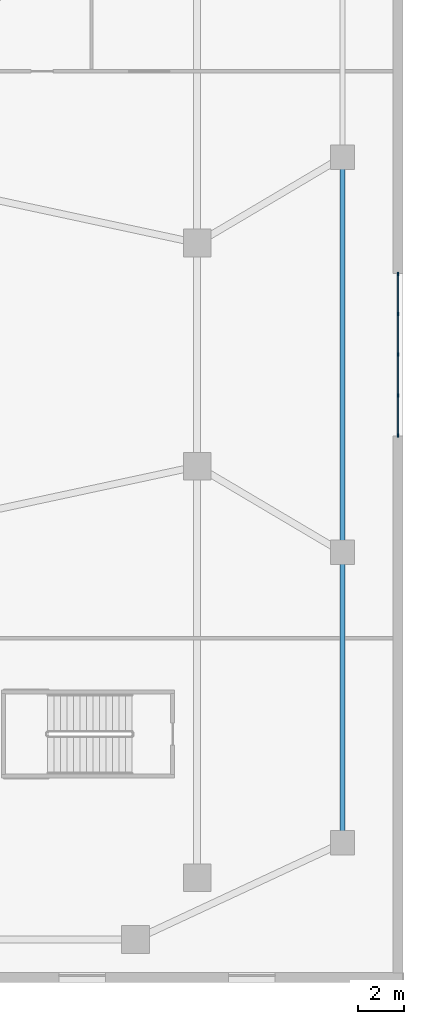
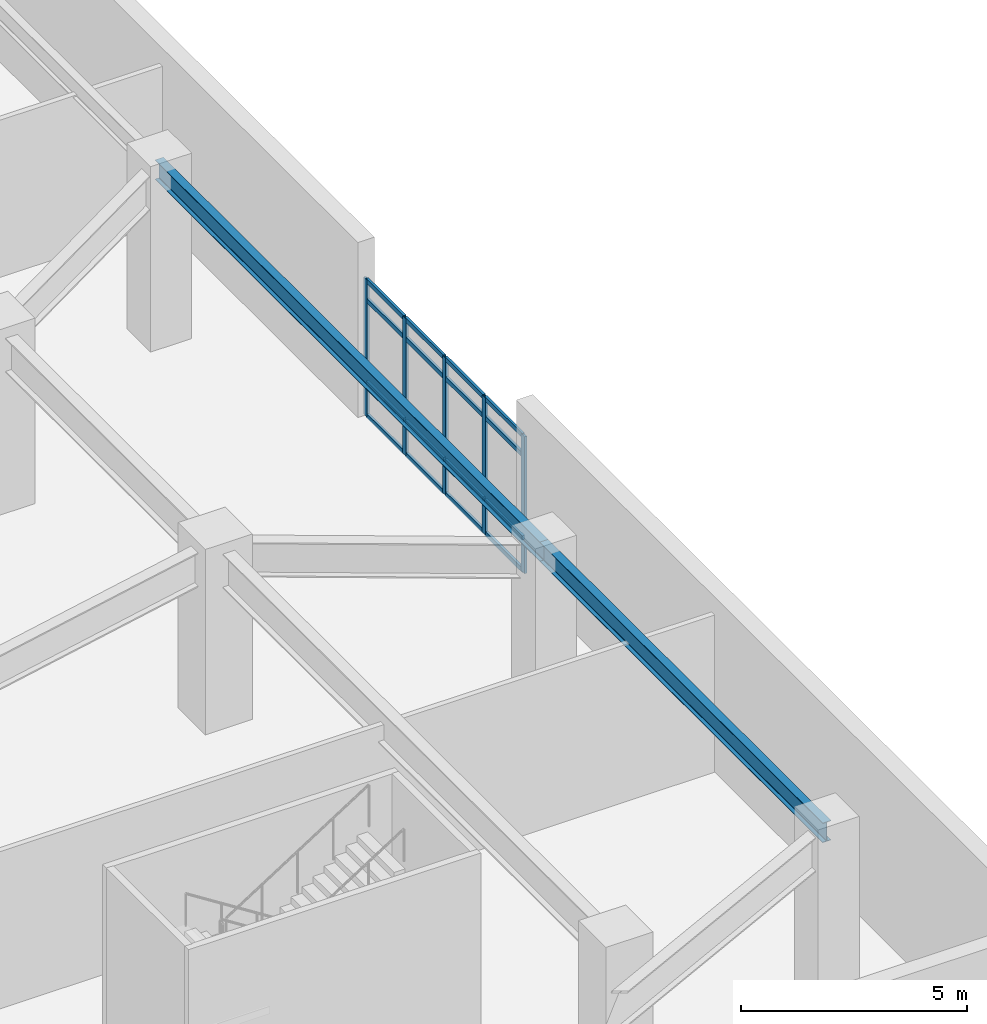
# One storey, part 9 of 20: 21 members, 2 beams, 1 element without a shape of its own.
"""IFC4 building model written with IfcOpenShell, lengths in metres."""

from ifc_helpers import new_model, si_unit, direction, frame, origin, origin_2d, place, context, subcontext, project, spatial, rectangle, i_section, extrude, material, layer, layer_set, material_profile, profile_set, type_object, element, aggregate, save


model = new_model("IFC4")

# Units and contexts
model_context = context("Model", 3, precision=1e-05, world=origin(), true_north=direction((0.0, 1.0)))
body_context = subcontext(model_context, "Body", "Model", "MODEL_VIEW")
ifc_project = project(units=[si_unit("LENGTHUNIT", "METRE"), si_unit("AREAUNIT", "SQUARE_METRE"), si_unit("VOLUMEUNIT", "CUBIC_METRE"), si_unit("PLANEANGLEUNIT", "RADIAN"), si_unit("MASSUNIT", "GRAM", prefix="KILO")], contexts=[model_context])

# Site, building, storey
site_placement = place(None, origin())
site = spatial("IfcSite", under=ifc_project, at=site_placement, CompositionType="ELEMENT")
building_placement = place(site_placement, origin())
building = spatial("IfcBuilding", under=site, at=building_placement, Name="Cairnveth Concourse Tower", CompositionType="ELEMENT")
storey_placement = place(building_placement, frame((0.0, 0.0, 5.0)))
storey = spatial("IfcBuildingStorey", under=building, at=storey_placement, Name="L01", CompositionType="ELEMENT", Elevation=5.0)

# Curtain wall, members
ifc_material_1 = material(Name="Architectural Bronze Anodised Aluminium 6063-T6", Category="aluminium")
ifc_layer = layer(ifc_material_1, 0.340087890625)
ifc_layer_set = layer_set([ifc_layer], Name="Architectural Bronze Anodised Aluminium 6063-T6")
curtain_wall_type = type_object("IfcCurtainWallType", Name="PODIUM RETAIL SHOPFRONT CURTAIN WALL", PredefinedType="USERDEFINED", material=ifc_layer_set)
curtain_wall_placement = place(storey_placement, origin())
curtain_wall = element("IfcCurtainWall", 1, at=curtain_wall_placement, inside=storey, type_object=curtain_wall_type, Name="Curtain Wall CW-L01-E-SHOP1", ObjectType="SHOPFRONT GLAZING", PredefinedType="USERDEFINED")
ifc_material_profile_1 = material_profile(ifc_material_1, rectangle(XDim=0.06494140625, YDim=0.14990234375, at=origin_2d()), Name="AL-MUL-65x150")
ifc_profile_set_1 = profile_set([ifc_material_profile_1], Name="Architectural Bronze Anodised Aluminium 6063-T6")
member_type_1 = type_object("IfcMemberType", Name="BRONZE CURTAIN WALL MULLION AL-MUL-65x150", PredefinedType="MULLION", material=ifc_profile_set_1)
member_1_placement = place(storey_placement, frame((85.7900390625, 42.482421875, 0.0), z_axis=(0.0, 0.0, 1.0), x_axis=(1.0, 0.0, 0.0)))
member_1 = element("IfcMember", 2, at=member_1_placement, type_object=member_type_1, Name="CWS2 mullion 1", PredefinedType="MULLION", context=body_context, shape_type="SweptSolid", body=[
    extrude(rectangle(XDim=0.06494140625, YDim=0.14990234375, at=origin_2d()), origin(), (0.0, 0.0, 1.0), 3.696044921875),
])
member_2_placement = place(storey_placement, frame((85.7900390625, 40.757568359375, 0.0), z_axis=(0.0, 0.0, 1.0), x_axis=(1.0, 0.0, 0.0)))
member_2 = element("IfcMember", 3, at=member_2_placement, type_object=member_type_1, Name="CWS2 mullion 2", PredefinedType="MULLION", context=body_context, shape_type="SweptSolid", body=[
    extrude(rectangle(XDim=0.06494140625, YDim=0.14990234375, at=origin_2d()), origin(), (0.0, 0.0, 1.0), 3.696044921875),
])
member_3_placement = place(storey_placement, frame((85.7900390625, 39.0, 0.0), z_axis=(0.0, 0.0, 1.0), x_axis=(1.0, 0.0, 0.0)))
member_3 = element("IfcMember", 4, at=member_3_placement, type_object=member_type_1, Name="CWS2 mullion 3", PredefinedType="MULLION", context=body_context, shape_type="SweptSolid", body=[
    extrude(rectangle(XDim=0.06494140625, YDim=0.14990234375, at=origin_2d()), origin(), (0.0, 0.0, 1.0), 3.696044921875),
])
member_4_placement = place(storey_placement, frame((85.7900390625, 37.242431640625, 0.0), z_axis=(0.0, 0.0, 1.0), x_axis=(1.0, 0.0, 0.0)))
member_4 = element("IfcMember", 5, at=member_4_placement, type_object=member_type_1, Name="CWS2 mullion 4", PredefinedType="MULLION", context=body_context, shape_type="SweptSolid", body=[
    extrude(rectangle(XDim=0.06494140625, YDim=0.14990234375, at=origin_2d()), origin(), (0.0, 0.0, 1.0), 3.696044921875),
])
member_5_placement = place(storey_placement, frame((85.7900390625, 35.517578125, 0.0), z_axis=(0.0, 0.0, 1.0), x_axis=(1.0, 0.0, 0.0)))
member_5 = element("IfcMember", 6, at=member_5_placement, type_object=member_type_1, Name="CWS2 mullion 5", PredefinedType="MULLION", context=body_context, shape_type="SweptSolid", body=[
    extrude(rectangle(XDim=0.06494140625, YDim=0.14990234375, at=origin_2d()), origin(), (0.0, 0.0, 1.0), 3.696044921875),
])
ifc_material_profile_2 = material_profile(ifc_material_1, rectangle(XDim=0.06494140625, YDim=0.1201171875, at=origin_2d()), Name="AL-TRN-65x120")
ifc_profile_set_2 = profile_set([ifc_material_profile_2], Name="Architectural Bronze Anodised Aluminium 6063-T6")
member_type_2 = type_object("IfcMemberType", Name="BRONZE CURTAIN WALL TRANSOM AL-TRN-65x120", PredefinedType="USERDEFINED", material=ifc_profile_set_2)
member_6_placement = place(storey_placement, frame((85.7900390625, 42.449951171875, 0.032470703125), z_axis=(0.0, -1.0, 0.0), x_axis=(1.0, 0.0, 0.0)))
member_6 = element("IfcMember", 7, at=member_6_placement, type_object=member_type_2, Name="CWS2 transom 1.1", ObjectType="TRANSOM", PredefinedType="USERDEFINED", context=body_context, shape_type="SweptSolid", body=[
    extrude(rectangle(XDim=0.06494140625, YDim=0.1201171875, at=origin_2d()), origin(), (0.0, 0.0, 1.0), 1.659912109375),
])
member_7_placement = place(storey_placement, frame((85.7900390625, 42.449951171875, 0.89990234375), z_axis=(0.0, -1.0, 0.0), x_axis=(1.0, 0.0, 0.0)))
member_7 = element("IfcMember", 8, at=member_7_placement, type_object=member_type_2, Name="CWS2 transom 1.2", ObjectType="TRANSOM", PredefinedType="USERDEFINED", context=body_context, shape_type="SweptSolid", body=[
    extrude(rectangle(XDim=0.06494140625, YDim=0.1201171875, at=origin_2d()), origin(), (0.0, 0.0, 1.0), 1.659912109375),
])
member_8_placement = place(storey_placement, frame((85.7900390625, 42.449951171875, 3.14599609375), z_axis=(0.0, -1.0, 0.0), x_axis=(1.0, 0.0, 0.0)))
member_8 = element("IfcMember", 9, at=member_8_placement, type_object=member_type_2, Name="CWS2 transom 1.3", ObjectType="TRANSOM", PredefinedType="USERDEFINED", context=body_context, shape_type="SweptSolid", body=[
    extrude(rectangle(XDim=0.06494140625, YDim=0.1201171875, at=origin_2d()), origin(), (0.0, 0.0, 1.0), 1.659912109375),
])
member_9_placement = place(storey_placement, frame((85.7900390625, 42.449951171875, 3.66357421875), z_axis=(0.0, -1.0, 0.0), x_axis=(1.0, 0.0, 0.0)))
member_9 = element("IfcMember", 10, at=member_9_placement, type_object=member_type_2, Name="CWS2 transom 1.4", ObjectType="TRANSOM", PredefinedType="USERDEFINED", context=body_context, shape_type="SweptSolid", body=[
    extrude(rectangle(XDim=0.06494140625, YDim=0.1201171875, at=origin_2d()), origin(), (0.0, 0.0, 1.0), 1.659912109375),
])
member_10_placement = place(storey_placement, frame((85.7900390625, 40.72509765625, 0.032470703125), z_axis=(0.0, -1.0, 0.0), x_axis=(1.0, 0.0, 0.0)))
member_10 = element("IfcMember", 11, at=member_10_placement, type_object=member_type_2, Name="CWS2 transom 2.1", ObjectType="TRANSOM", PredefinedType="USERDEFINED", context=body_context, shape_type="SweptSolid", body=[
    extrude(rectangle(XDim=0.06494140625, YDim=0.1201171875, at=origin_2d()), origin(), (0.0, 0.0, 1.0), 1.692626953125),
])
member_11_placement = place(storey_placement, frame((85.7900390625, 40.72509765625, 0.89990234375), z_axis=(0.0, -1.0, 0.0), x_axis=(1.0, 0.0, 0.0)))
member_11 = element("IfcMember", 12, at=member_11_placement, type_object=member_type_2, Name="CWS2 transom 2.2", ObjectType="TRANSOM", PredefinedType="USERDEFINED", context=body_context, shape_type="SweptSolid", body=[
    extrude(rectangle(XDim=0.06494140625, YDim=0.1201171875, at=origin_2d()), origin(), (0.0, 0.0, 1.0), 1.692626953125),
])
member_12_placement = place(storey_placement, frame((85.7900390625, 40.72509765625, 3.14599609375), z_axis=(0.0, -1.0, 0.0), x_axis=(1.0, 0.0, 0.0)))
member_12 = element("IfcMember", 13, at=member_12_placement, type_object=member_type_2, Name="CWS2 transom 2.3", ObjectType="TRANSOM", PredefinedType="USERDEFINED", context=body_context, shape_type="SweptSolid", body=[
    extrude(rectangle(XDim=0.06494140625, YDim=0.1201171875, at=origin_2d()), origin(), (0.0, 0.0, 1.0), 1.692626953125),
])
member_13_placement = place(storey_placement, frame((85.7900390625, 40.72509765625, 3.66357421875), z_axis=(0.0, -1.0, 0.0), x_axis=(1.0, 0.0, 0.0)))
member_13 = element("IfcMember", 14, at=member_13_placement, type_object=member_type_2, Name="CWS2 transom 2.4", ObjectType="TRANSOM", PredefinedType="USERDEFINED", context=body_context, shape_type="SweptSolid", body=[
    extrude(rectangle(XDim=0.06494140625, YDim=0.1201171875, at=origin_2d()), origin(), (0.0, 0.0, 1.0), 1.692626953125),
])
member_14_placement = place(storey_placement, frame((85.7900390625, 38.967529296875, 0.032470703125), z_axis=(0.0, -1.0, 0.0), x_axis=(1.0, 0.0, 0.0)))
member_14 = element("IfcMember", 15, at=member_14_placement, type_object=member_type_2, Name="CWS2 transom 3.1", ObjectType="TRANSOM", PredefinedType="USERDEFINED", context=body_context, shape_type="SweptSolid", body=[
    extrude(rectangle(XDim=0.06494140625, YDim=0.1201171875, at=origin_2d()), origin(), (0.0, 0.0, 1.0), 1.692626953125),
])
member_15_placement = place(storey_placement, frame((85.7900390625, 38.967529296875, 0.89990234375), z_axis=(0.0, -1.0, 0.0), x_axis=(1.0, 0.0, 0.0)))
member_15 = element("IfcMember", 16, at=member_15_placement, type_object=member_type_2, Name="CWS2 transom 3.2", ObjectType="TRANSOM", PredefinedType="USERDEFINED", context=body_context, shape_type="SweptSolid", body=[
    extrude(rectangle(XDim=0.06494140625, YDim=0.1201171875, at=origin_2d()), origin(), (0.0, 0.0, 1.0), 1.692626953125),
])
member_16_placement = place(storey_placement, frame((85.7900390625, 38.967529296875, 3.14599609375), z_axis=(0.0, -1.0, 0.0), x_axis=(1.0, 0.0, 0.0)))
member_16 = element("IfcMember", 17, at=member_16_placement, type_object=member_type_2, Name="CWS2 transom 3.3", ObjectType="TRANSOM", PredefinedType="USERDEFINED", context=body_context, shape_type="SweptSolid", body=[
    extrude(rectangle(XDim=0.06494140625, YDim=0.1201171875, at=origin_2d()), origin(), (0.0, 0.0, 1.0), 1.692626953125),
])
member_17_placement = place(storey_placement, frame((85.7900390625, 38.967529296875, 3.66357421875), z_axis=(0.0, -1.0, 0.0), x_axis=(1.0, 0.0, 0.0)))
member_17 = element("IfcMember", 18, at=member_17_placement, type_object=member_type_2, Name="CWS2 transom 3.4", ObjectType="TRANSOM", PredefinedType="USERDEFINED", context=body_context, shape_type="SweptSolid", body=[
    extrude(rectangle(XDim=0.06494140625, YDim=0.1201171875, at=origin_2d()), origin(), (0.0, 0.0, 1.0), 1.692626953125),
])
member_18_placement = place(storey_placement, frame((85.7900390625, 37.2099609375, 0.032470703125), z_axis=(0.0, -1.0, 0.0), x_axis=(1.0, 0.0, 0.0)))
member_18 = element("IfcMember", 19, at=member_18_placement, type_object=member_type_2, Name="CWS2 transom 4.1", ObjectType="TRANSOM", PredefinedType="USERDEFINED", context=body_context, shape_type="SweptSolid", body=[
    extrude(rectangle(XDim=0.06494140625, YDim=0.1201171875, at=origin_2d()), origin(), (0.0, 0.0, 1.0), 1.659912109375),
])
member_19_placement = place(storey_placement, frame((85.7900390625, 37.2099609375, 0.89990234375), z_axis=(0.0, -1.0, 0.0), x_axis=(1.0, 0.0, 0.0)))
member_19 = element("IfcMember", 20, at=member_19_placement, type_object=member_type_2, Name="CWS2 transom 4.2", ObjectType="TRANSOM", PredefinedType="USERDEFINED", context=body_context, shape_type="SweptSolid", body=[
    extrude(rectangle(XDim=0.06494140625, YDim=0.1201171875, at=origin_2d()), origin(), (0.0, 0.0, 1.0), 1.659912109375),
])
member_20_placement = place(storey_placement, frame((85.7900390625, 37.2099609375, 3.14599609375), z_axis=(0.0, -1.0, 0.0), x_axis=(1.0, 0.0, 0.0)))
member_20 = element("IfcMember", 21, at=member_20_placement, type_object=member_type_2, Name="CWS2 transom 4.3", ObjectType="TRANSOM", PredefinedType="USERDEFINED", context=body_context, shape_type="SweptSolid", body=[
    extrude(rectangle(XDim=0.06494140625, YDim=0.1201171875, at=origin_2d()), origin(), (0.0, 0.0, 1.0), 1.659912109375),
])
member_21_placement = place(storey_placement, frame((85.7900390625, 37.2099609375, 3.66357421875), z_axis=(0.0, -1.0, 0.0), x_axis=(1.0, 0.0, 0.0)))
member_21 = element("IfcMember", 22, at=member_21_placement, type_object=member_type_2, Name="CWS2 transom 4.4", ObjectType="TRANSOM", PredefinedType="USERDEFINED", context=body_context, shape_type="SweptSolid", body=[
    extrude(rectangle(XDim=0.06494140625, YDim=0.1201171875, at=origin_2d()), origin(), (0.0, 0.0, 1.0), 1.659912109375),
])
aggregate(curtain_wall, [member_1, member_2, member_3, member_4, member_5, member_6, member_7, member_8, member_9, member_10, member_11, member_12, member_13, member_14, member_15, member_16, member_17, member_18, member_19, member_20, member_21])

# Beams
ifc_material_2 = material(Name="Steel Grade 350", Category="steel")
ifc_material_profile_3 = material_profile(ifc_material_2, i_section(OverallWidth=0.208984375, OverallDepth=0.532958984375, WebThickness=0.01025390625, FlangeThickness=0.015625, FilletRadius=0.013916015625, at=origin_2d()), Name="530UB92.4")
ifc_profile_set_3 = profile_set([ifc_material_profile_3], Name="Steel Grade 350")
beam_type = type_object("IfcBeamType", Name="PODIUM EDGE SPANDREL 530UB92.4", PredefinedType="SPANDREL", material=ifc_profile_set_3)
beam_1_placement = place(storey_placement, frame((83.39990234375, 18.0, 4.45361328125), z_axis=(0.0, 1.0, 0.0), x_axis=(-1.0, 0.0, 0.0)))
element("IfcBeam", 23, at=beam_1_placement, inside=storey, type_object=beam_type, Name="Beam PSP-E1 L01", PredefinedType="SPANDREL", context=body_context, shape_type="SweptSolid", body=[
    extrude(i_section(OverallWidth=0.208984375, OverallDepth=0.532958984375, WebThickness=0.01025390625, FlangeThickness=0.015625, FilletRadius=0.013916015625, at=origin_2d()), origin(), (0.0, 0.0, 1.0), 12.5),
])
beam_2_placement = place(storey_placement, frame((83.39990234375, 30.5, 4.45361328125), z_axis=(0.0, 1.0, 0.0), x_axis=(-1.0, 0.0, 0.0)))
element("IfcBeam", 24, at=beam_2_placement, inside=storey, type_object=beam_type, Name="Beam PSP-E2 L01", PredefinedType="SPANDREL", context=body_context, shape_type="SweptSolid", body=[
    extrude(i_section(OverallWidth=0.208984375, OverallDepth=0.532958984375, WebThickness=0.01025390625, FlangeThickness=0.015625, FilletRadius=0.013916015625, at=origin_2d()), origin(), (0.0, 0.0, 1.0), 17.0),
])

save(model, "model.ifc")
